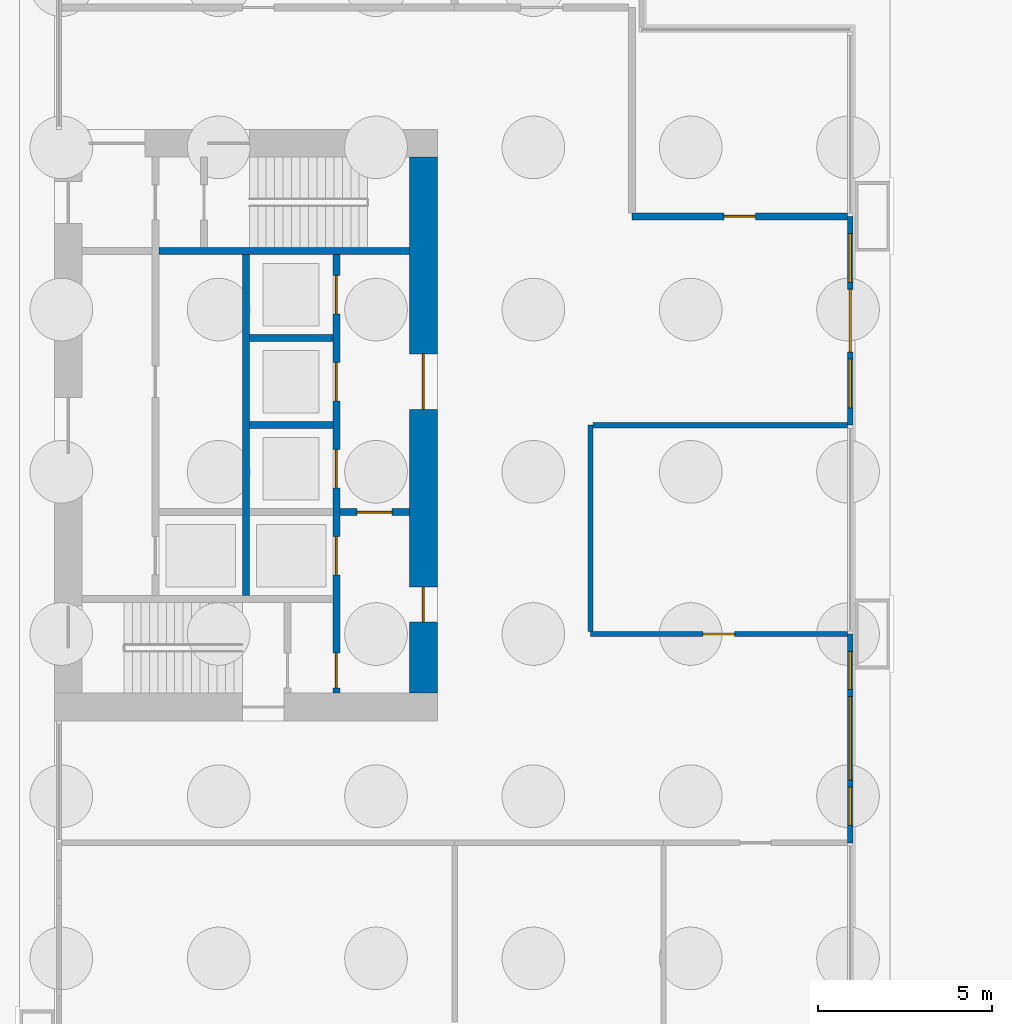
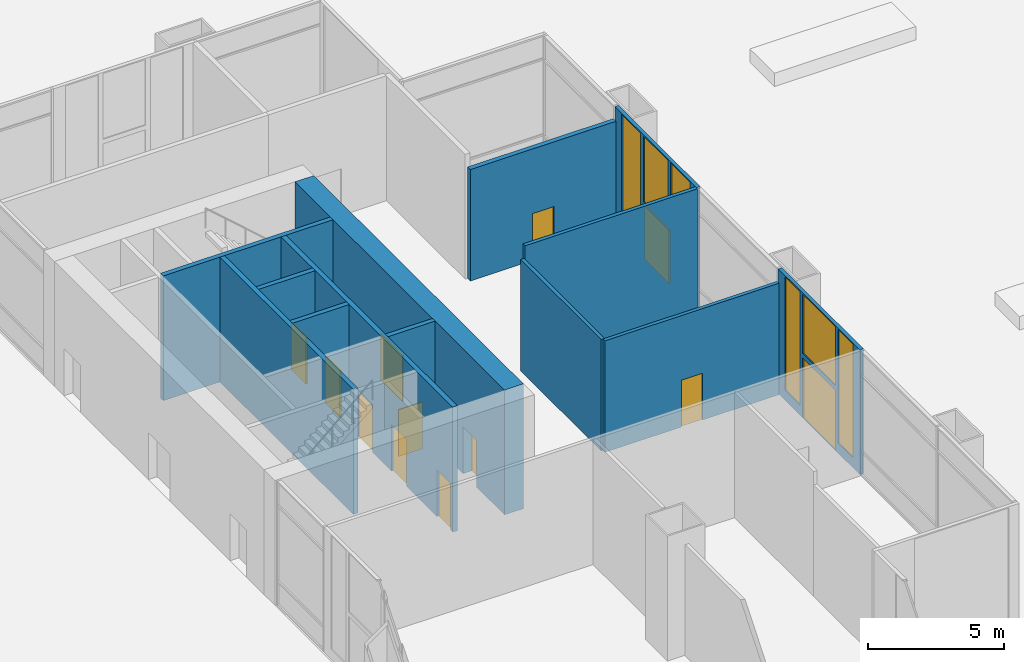
# One storey, part 23 of 29: 13 walls, 12 doors, 6 windows, 18 openings.
"""IFC4 building model written with IfcOpenShell, lengths in metres."""

from ifc_helpers import new_model, si_unit, direction, frame, frame_2d, origin, place, context, subcontext, project, spatial, rectangle, extrude, material, layer, layer_set, type_object, element, fill, save


model = new_model("IFC4")

# Units and contexts
model_context = context("Model", 3, precision=1e-05, world=origin(), true_north=direction((0.0, 1.0)))
body_context = subcontext(model_context, "Body", "Model", "MODEL_VIEW")
ifc_project = project(units=[si_unit("LENGTHUNIT", "METRE"), si_unit("AREAUNIT", "SQUARE_METRE"), si_unit("VOLUMEUNIT", "CUBIC_METRE"), si_unit("PLANEANGLEUNIT", "RADIAN"), si_unit("MASSUNIT", "GRAM", prefix="KILO")], contexts=[model_context])

# Site, building, storey
site_placement = place(None, origin())
site = spatial("IfcSite", under=ifc_project, at=site_placement, CompositionType="ELEMENT")
building_placement = place(site_placement, origin())
building = spatial("IfcBuilding", under=site, at=building_placement, Name="Kitamizu Gate Tower and Museum", CompositionType="ELEMENT")
storey_placement = place(building_placement, origin())
storey = spatial("IfcBuildingStorey", under=building, at=storey_placement, Name="L00", CompositionType="ELEMENT", Elevation=0.0)

# Wall, openings, doors
ifc_material_1 = material(Name="Concrete Fc60", Category="concrete")
ifc_layer_1 = layer(ifc_material_1, 0.800048828125)
ifc_layer_set_1 = layer_set([ifc_layer_1], Name="Concrete Fc60")
wall_type_1 = type_object("IfcWallType", Name="Core wall 800", PredefinedType="SHEAR", material=ifc_layer_set_1)
wall_1_placement = place(storey_placement, frame((59.10009765625, 22.300048828125, 0.0), z_axis=(0.0, 0.0, 1.0), x_axis=(0.0, 1.0, 0.0)))
wall_1 = element("IfcWall", 1, at=wall_1_placement, inside=storey, type_object=wall_type_1, Name="Core wall EOUT", PredefinedType="SHEAR", context=body_context, shape_type="SweptSolid", body=[
    extrude(rectangle(XDim=15.39990234375, YDim=0.800048828125, at=frame_2d((7.699951171875, 0.0))), origin(), (0.0, 0.0, 1.0), 5.60009765625),
])
opening_1_placement = place(wall_1_placement, frame((8.14990234375, 0.0, 0.0)))
opening_1 = element("IfcOpeningElement", 2, at=opening_1_placement, cuts=wall_1, Name="Opening L00-032", PredefinedType="OPENING", context=body_context, shape_type="SweptSolid", body=[
    extrude(rectangle(XDim=1.60009765625, YDim=2.10009765625, at=frame_2d((0.800048828125, 1.050048828125))), frame((0.0, 0.41015625, 0.0), z_axis=(0.0, -1.0, 0.0), x_axis=(1.0, 0.0, 0.0)), (0.0, 0.0, 1.0), 0.820068359375),
])
opening_2_placement = place(wall_1_placement, frame((2.050048828125, 0.0, 0.0)))
opening_2 = element("IfcOpeningElement", 3, at=opening_2_placement, cuts=wall_1, Name="Opening L00-033", PredefinedType="OPENING", context=body_context, shape_type="SweptSolid", body=[
    extrude(rectangle(XDim=1.0, YDim=2.10009765625, at=frame_2d((0.5, 1.050048828125))), frame((0.0, 0.41015625, 0.0), z_axis=(0.0, -1.0, 0.0), x_axis=(1.0, 0.0, 0.0)), (0.0, 0.0, 1.0), 0.820068359375),
])
ifc_material_2 = material(Name="Timber door set", Category="wood")
door_type_1 = type_object("IfcDoorType", Name="Entrance door 1600", OperationType="DOUBLE_DOOR_SINGLE_SWING", PredefinedType="DOOR", material=ifc_material_2)
door_1_placement = place(opening_1_placement, origin())
door_1 = element("IfcDoor", 4, at=door_1_placement, inside=storey, type_object=door_type_1, Name="Lobby door L00-032", OperationType="DOUBLE_DOOR_SINGLE_SWING", OverallHeight=2.10009765625, OverallWidth=1.60009765625, PredefinedType="DOOR", context=body_context, shape_type="SweptSolid", body=[
    extrude(rectangle(XDim=1.60009765625, YDim=2.10009765625, at=frame_2d((0.800048828125, 1.050048828125))), frame((0.0, 0.02490234375, 0.0), z_axis=(0.0, -1.0, 0.0), x_axis=(1.0, 0.0, 0.0)), (0.0, 0.0, 1.0), 0.050048828125),
])
fill(opening_1, door_1)
ifc_material_3 = material(Name="Hollow metal door set")
door_type_2 = type_object("IfcDoorType", Name="Fire door 1000", OperationType="NOTDEFINED", PredefinedType="DOOR", material=ifc_material_3)
door_2_placement = place(opening_2_placement, origin())
door_2 = element("IfcDoor", 5, at=door_2_placement, inside=storey, type_object=door_type_2, Name="Fire-fighting lobby door L00-033", OperationType="SINGLE_SWING_RIGHT", OverallHeight=2.10009765625, OverallWidth=1.0, PredefinedType="DOOR", context=body_context, shape_type="SweptSolid", body=[
    extrude(rectangle(XDim=1.0, YDim=2.10009765625, at=frame_2d((0.5, 1.050048828125))), frame((0.0, 0.02490234375, 0.0), z_axis=(0.0, -1.0, 0.0), x_axis=(1.0, 0.0, 0.0)), (0.0, 0.0, 1.0), 0.050048828125),
])
fill(opening_2, door_2)

# Wall, opening, door
ifc_material_4 = material(Name="Gypsum board on galvanised stud")
ifc_layer_2 = layer(ifc_material_4, 0.14990234375)
ifc_layer_set_2 = layer_set([ifc_layer_2], Name="Gypsum board on galvanised stud")
wall_type_2 = type_object("IfcWallType", Name="Partition 150", PredefinedType="PARTITIONING", material=ifc_layer_set_2)
wall_2_placement = place(storey_placement, frame((71.280029296875, 24.0, 0.0), z_axis=(0.0, 0.0, 1.0), x_axis=(-1.0, 0.0, 0.0)))
wall_2 = element("IfcWall", 6, at=wall_2_placement, inside=storey, type_object=wall_type_2, Name="Partition L00-015", PredefinedType="PARTITIONING", context=body_context, shape_type="SweptSolid", body=[
    extrude(rectangle(XDim=7.380126953125, YDim=0.14990234375, at=frame_2d((3.68994140625, 0.0))), origin(), (0.0, 0.0, 1.0), 5.0),
])
opening_3_placement = place(wall_2_placement, frame((3.239990234375, 0.0, 0.0)))
opening_3 = element("IfcOpeningElement", 7, at=opening_3_placement, cuts=wall_2, Name="Opening L00-003", PredefinedType="OPENING", context=body_context, shape_type="SweptSolid", body=[
    extrude(rectangle(XDim=0.89990234375, YDim=2.10009765625, at=frame_2d((0.449951171875, 1.050048828125))), frame((0.0, 0.0849609375, 0.0), z_axis=(0.0, -1.0, 0.0), x_axis=(1.0, 0.0, 0.0)), (0.0, 0.0, 1.0), 0.169921875),
])
ifc_material_5 = material(Name="Timber door set", Category="wood")
door_type_3 = type_object("IfcDoorType", Name="Room door 900", OperationType="NOTDEFINED", PredefinedType="DOOR", material=ifc_material_5)
door_3_placement = place(opening_3_placement, frame((0.89990234375, 0.0, 0.0), x_axis=(-1.0, 0.0, 0.0)))
door_3 = element("IfcDoor", 8, at=door_3_placement, inside=storey, type_object=door_type_3, Name="Door L00-003", OperationType="SINGLE_SWING_RIGHT", OverallHeight=2.10009765625, OverallWidth=0.89990234375, PredefinedType="DOOR", context=body_context, shape_type="SweptSolid", body=[
    extrude(rectangle(XDim=0.89990234375, YDim=2.10009765625, at=frame_2d((0.449951171875, 1.050048828125))), frame((0.0, 0.02490234375, 0.0), z_axis=(0.0, -1.0, 0.0), x_axis=(1.0, 0.0, 0.0)), (0.0, 0.0, 1.0), 0.050048828125),
])
fill(opening_3, door_3)

# Walls
wall_3_placement = place(storey_placement, frame((63.89990234375, 24.074951171875, 0.0), z_axis=(0.0, 0.0, 1.0), x_axis=(0.0, 1.0, 0.0)))
element("IfcWall", 9, at=wall_3_placement, inside=storey, type_object=wall_type_2, Name="Partition L00-016", PredefinedType="PARTITIONING", context=body_context, shape_type="SweptSolid", body=[
    extrude(rectangle(XDim=5.925048828125, YDim=0.14990234375, at=frame_2d((2.96240234375, 0.0))), origin(), (0.0, 0.0, 1.0), 5.0),
])
wall_4_placement = place(storey_placement, frame((63.97509765625, 30.0, 0.0), z_axis=(0.0, 0.0, 1.0), x_axis=(1.0, 0.0, 0.0)))
element("IfcWall", 10, at=wall_4_placement, inside=storey, type_object=wall_type_2, Name="Partition L00-017", PredefinedType="PARTITIONING", context=body_context, shape_type="SweptSolid", body=[
    extrude(rectangle(XDim=7.304931640625, YDim=0.14990234375, at=frame_2d((3.65234375, 0.0))), origin(), (0.0, 0.0, 1.0), 5.60009765625),
])

# Wall, opening, door
ifc_material_6 = material(Name="Gypsum board on galvanised stud")
ifc_layer_3 = layer(ifc_material_6, 0.199951171875)
ifc_layer_set_3 = layer_set([ifc_layer_3], Name="Gypsum board on galvanised stud")
wall_type_3 = type_object("IfcWallType", Name="Partition 200", PredefinedType="PARTITIONING", material=ifc_layer_set_3)
wall_5_placement = place(storey_placement, frame((71.280029296875, 36.0, 0.0), z_axis=(0.0, 0.0, 1.0), x_axis=(-1.0, 0.0, 0.0)))
wall_5 = element("IfcWall", 11, at=wall_5_placement, inside=storey, type_object=wall_type_3, Name="Partition L00-018", PredefinedType="PARTITIONING", context=body_context, shape_type="SweptSolid", body=[
    extrude(rectangle(XDim=6.179931640625, YDim=0.199951171875, at=frame_2d((3.08984375, 0.0))), origin(), (0.0, 0.0, 1.0), 5.0),
])
opening_4_placement = place(wall_5_placement, frame((2.639892578125, 0.0, 0.0)))
opening_4 = element("IfcOpeningElement", 12, at=opening_4_placement, cuts=wall_5, Name="Opening L00-004", PredefinedType="OPENING", context=body_context, shape_type="SweptSolid", body=[
    extrude(rectangle(XDim=0.89990234375, YDim=2.10009765625, at=frame_2d((0.449951171875, 1.050048828125))), frame((0.0, 0.10986328125, 0.0), z_axis=(0.0, -1.0, 0.0), x_axis=(1.0, 0.0, 0.0)), (0.0, 0.0, 1.0), 0.219970703125),
])
ifc_material_7 = material(Name="Timber door set", Category="wood")
door_type_4 = type_object("IfcDoorType", Name="Store door 900", OperationType="NOTDEFINED", PredefinedType="DOOR", material=ifc_material_7)
door_4_placement = place(opening_4_placement, frame((0.89990234375, 0.0, 0.0), x_axis=(-1.0, 0.0, 0.0)))
door_4 = element("IfcDoor", 13, at=door_4_placement, inside=storey, type_object=door_type_4, Name="Store door L00-004", OperationType="SINGLE_SWING_LEFT", OverallHeight=2.10009765625, OverallWidth=0.89990234375, PredefinedType="DOOR", context=body_context, shape_type="SweptSolid", body=[
    extrude(rectangle(XDim=0.89990234375, YDim=2.10009765625, at=frame_2d((0.449951171875, 1.050048828125))), frame((0.0, 0.02490234375, 0.0), z_axis=(0.0, -1.0, 0.0), x_axis=(1.0, 0.0, 0.0)), (0.0, 0.0, 1.0), 0.050048828125),
])
fill(opening_4, door_4)

# Wall, openings, doors
ifc_material_8 = material(Name="Concrete Fc42", Category="concrete")
ifc_layer_4 = layer(ifc_material_8, 0.199951171875)
ifc_layer_set_4 = layer_set([ifc_layer_4], Name="Concrete Fc42")
wall_type_4 = type_object("IfcWallType", Name="Shaft wall 200", PredefinedType="SOLIDWALL", material=ifc_layer_set_4)
wall_6_placement = place(storey_placement, frame((56.60009765625, 22.300048828125, 0.0), z_axis=(0.0, 0.0, 1.0), x_axis=(0.0, 1.0, 0.0)))
wall_6 = element("IfcWall", 14, at=wall_6_placement, inside=storey, type_object=wall_type_4, Name="Shaft wall EWEST", PredefinedType="SOLIDWALL", context=body_context, shape_type="SweptSolid", body=[
    extrude(rectangle(XDim=12.599853515625, YDim=0.199951171875, at=frame_2d((6.2998046875, 0.0))), origin(), (0.0, 0.0, 1.0), 5.60009765625),
])
opening_5_placement = place(wall_6_placement, frame((3.39990234375, 0.0, 0.0)))
opening_5 = element("IfcOpeningElement", 15, at=opening_5_placement, cuts=wall_6, Name="Opening LD", PredefinedType="OPENING", context=body_context, shape_type="SweptSolid", body=[
    extrude(rectangle(XDim=1.10009765625, YDim=2.10009765625, at=frame_2d((0.550048828125, 1.050048828125))), frame((0.0, 0.10986328125, 0.0), z_axis=(0.0, -1.0, 0.0), x_axis=(1.0, 0.0, 0.0)), (0.0, 0.0, 1.0), 0.219970703125),
])
opening_6_placement = place(wall_6_placement, frame((5.89990234375, 0.0, 0.0)))
opening_6 = element("IfcOpeningElement", 16, at=opening_6_placement, cuts=wall_6, Name="Opening LD", PredefinedType="OPENING", context=body_context, shape_type="SweptSolid", body=[
    extrude(rectangle(XDim=1.10009765625, YDim=2.10009765625, at=frame_2d((0.550048828125, 1.050048828125))), frame((0.0, 0.10986328125, 0.0), z_axis=(0.0, -1.0, 0.0), x_axis=(1.0, 0.0, 0.0)), (0.0, 0.0, 1.0), 0.219970703125),
])
opening_7_placement = place(wall_6_placement, frame((8.39990234375, 0.0, 0.0)))
opening_7 = element("IfcOpeningElement", 17, at=opening_7_placement, cuts=wall_6, Name="Opening LD", PredefinedType="OPENING", context=body_context, shape_type="SweptSolid", body=[
    extrude(rectangle(XDim=1.10009765625, YDim=2.10009765625, at=frame_2d((0.550048828125, 1.050048828125))), frame((0.0, 0.10986328125, 0.0), z_axis=(0.0, -1.0, 0.0), x_axis=(1.0, 0.0, 0.0)), (0.0, 0.0, 1.0), 0.219970703125),
])
opening_8_placement = place(wall_6_placement, frame((10.89990234375, 0.0, 0.0)))
opening_8 = element("IfcOpeningElement", 18, at=opening_8_placement, cuts=wall_6, Name="Opening LD", PredefinedType="OPENING", context=body_context, shape_type="SweptSolid", body=[
    extrude(rectangle(XDim=1.10009765625, YDim=2.10009765625, at=frame_2d((0.550048828125, 1.050048828125))), frame((0.0, 0.10986328125, 0.0), z_axis=(0.0, -1.0, 0.0), x_axis=(1.0, 0.0, 0.0)), (0.0, 0.0, 1.0), 0.219970703125),
])
opening_9_placement = place(wall_6_placement, frame((0.14990234375, 0.0, 0.0)))
opening_9 = element("IfcOpeningElement", 19, at=opening_9_placement, cuts=wall_6, Name="Opening L00-028", PredefinedType="OPENING", context=body_context, shape_type="SweptSolid", body=[
    extrude(rectangle(XDim=1.0, YDim=2.10009765625, at=frame_2d((0.5, 1.050048828125))), frame((0.0, 0.10986328125, 0.0), z_axis=(0.0, -1.0, 0.0), x_axis=(1.0, 0.0, 0.0)), (0.0, 0.0, 1.0), 0.219970703125),
])
door_5_placement = place(opening_9_placement, origin())
door_5 = element("IfcDoor", 20, at=door_5_placement, inside=storey, type_object=door_type_2, Name="Stair lobby door L00-028", OperationType="SINGLE_SWING_RIGHT", OverallHeight=2.10009765625, OverallWidth=1.0, PredefinedType="DOOR", context=body_context, shape_type="SweptSolid", body=[
    extrude(rectangle(XDim=1.0, YDim=2.10009765625, at=frame_2d((0.5, 1.050048828125))), frame((0.0, 0.02490234375, 0.0), z_axis=(0.0, -1.0, 0.0), x_axis=(1.0, 0.0, 0.0)), (0.0, 0.0, 1.0), 0.050048828125),
])
fill(opening_9, door_5)
ifc_material_9 = material(Name="Hollow metal door set")
door_type_5 = type_object("IfcDoorType", Name="Landing door 1100", OperationType="SLIDING_TO_LEFT", PredefinedType="DOOR", material=ifc_material_9)
door_6_placement = place(opening_5_placement, origin())
door_6 = element("IfcDoor", 21, at=door_6_placement, inside=storey, type_object=door_type_5, Name="Landing door EFF1", OperationType="SLIDING_TO_LEFT", OverallHeight=2.10009765625, OverallWidth=1.10009765625, PredefinedType="DOOR", context=body_context, shape_type="SweptSolid", body=[
    extrude(rectangle(XDim=1.10009765625, YDim=2.10009765625, at=frame_2d((0.550048828125, 1.050048828125))), frame((0.0, 0.02490234375, 0.0), z_axis=(0.0, -1.0, 0.0), x_axis=(1.0, 0.0, 0.0)), (0.0, 0.0, 1.0), 0.050048828125),
])
fill(opening_5, door_6)
door_7_placement = place(opening_6_placement, origin())
door_7 = element("IfcDoor", 22, at=door_7_placement, inside=storey, type_object=door_type_5, Name="Landing door EL1", OperationType="SLIDING_TO_LEFT", OverallHeight=2.10009765625, OverallWidth=1.10009765625, PredefinedType="DOOR", context=body_context, shape_type="SweptSolid", body=[
    extrude(rectangle(XDim=1.10009765625, YDim=2.10009765625, at=frame_2d((0.550048828125, 1.050048828125))), frame((0.0, 0.02490234375, 0.0), z_axis=(0.0, -1.0, 0.0), x_axis=(1.0, 0.0, 0.0)), (0.0, 0.0, 1.0), 0.050048828125),
])
fill(opening_6, door_7)
door_8_placement = place(opening_7_placement, origin())
door_8 = element("IfcDoor", 23, at=door_8_placement, inside=storey, type_object=door_type_5, Name="Landing door EL2", OperationType="SLIDING_TO_LEFT", OverallHeight=2.10009765625, OverallWidth=1.10009765625, PredefinedType="DOOR", context=body_context, shape_type="SweptSolid", body=[
    extrude(rectangle(XDim=1.10009765625, YDim=2.10009765625, at=frame_2d((0.550048828125, 1.050048828125))), frame((0.0, 0.02490234375, 0.0), z_axis=(0.0, -1.0, 0.0), x_axis=(1.0, 0.0, 0.0)), (0.0, 0.0, 1.0), 0.050048828125),
])
fill(opening_7, door_8)
door_9_placement = place(opening_8_placement, origin())
door_9 = element("IfcDoor", 24, at=door_9_placement, inside=storey, type_object=door_type_5, Name="Landing door EL3", OperationType="SLIDING_TO_LEFT", OverallHeight=2.10009765625, OverallWidth=1.10009765625, PredefinedType="DOOR", context=body_context, shape_type="SweptSolid", body=[
    extrude(rectangle(XDim=1.10009765625, YDim=2.10009765625, at=frame_2d((0.550048828125, 1.050048828125))), frame((0.0, 0.02490234375, 0.0), z_axis=(0.0, -1.0, 0.0), x_axis=(1.0, 0.0, 0.0)), (0.0, 0.0, 1.0), 0.050048828125),
])
fill(opening_8, door_9)

# Walls
wall_7_placement = place(storey_placement, frame((54.0, 25.10009765625, 0.0), z_axis=(0.0, 0.0, 1.0), x_axis=(0.0, 1.0, 0.0)))
element("IfcWall", 25, at=wall_7_placement, inside=storey, type_object=wall_type_4, Name="Shaft wall EMID", PredefinedType="SOLIDWALL", context=body_context, shape_type="SweptSolid", body=[
    extrude(rectangle(XDim=9.7998046875, YDim=0.199951171875, at=frame_2d((4.89990234375, 0.0))), origin(), (0.0, 0.0, 1.0), 5.60009765625),
])
wall_8_placement = place(storey_placement, frame((58.699951171875, 35.0, 0.0), z_axis=(0.0, 0.0, 1.0), x_axis=(-1.0, 0.0, 0.0)))
element("IfcWall", 26, at=wall_8_placement, inside=storey, type_object=wall_type_4, Name="Shaft wall ENB", PredefinedType="SOLIDWALL", context=body_context, shape_type="SweptSolid", body=[
    extrude(rectangle(XDim=7.199951171875, YDim=0.199951171875, at=frame_2d((3.60009765625, 0.0))), origin(), (0.0, 0.0, 1.0), 5.60009765625),
])

# Wall, opening, door
wall_9_placement = place(storey_placement, frame((58.699951171875, 27.5, 0.0), z_axis=(0.0, 0.0, 1.0), x_axis=(-1.0, 0.0, 0.0)))
wall_9 = element("IfcWall", 27, at=wall_9_placement, inside=storey, type_object=wall_type_4, Name="Shaft wall EFFN", PredefinedType="SOLIDWALL", context=body_context, shape_type="SweptSolid", body=[
    extrude(rectangle(XDim=2.0, YDim=0.199951171875, at=frame_2d((1.0, 0.0))), origin(), (0.0, 0.0, 1.0), 5.60009765625),
])
opening_10_placement = place(wall_9_placement, frame((0.5, 0.0, 0.0)))
opening_10 = element("IfcOpeningElement", 28, at=opening_10_placement, cuts=wall_9, Name="Opening L00-031", PredefinedType="OPENING", context=body_context, shape_type="SweptSolid", body=[
    extrude(rectangle(XDim=1.0, YDim=2.10009765625, at=frame_2d((0.5, 1.050048828125))), frame((0.0, 0.10986328125, 0.0), z_axis=(0.0, -1.0, 0.0), x_axis=(1.0, 0.0, 0.0)), (0.0, 0.0, 1.0), 0.219970703125),
])
door_10_placement = place(opening_10_placement, origin())
door_10 = element("IfcDoor", 29, at=door_10_placement, inside=storey, type_object=door_type_2, Name="Fire-fighting lobby door L00-031", OperationType="SINGLE_SWING_LEFT", OverallHeight=2.10009765625, OverallWidth=1.0, PredefinedType="DOOR", context=body_context, shape_type="SweptSolid", body=[
    extrude(rectangle(XDim=1.0, YDim=2.10009765625, at=frame_2d((0.5, 1.050048828125))), frame((0.0, 0.02490234375, 0.0), z_axis=(0.0, -1.0, 0.0), x_axis=(1.0, 0.0, 0.0)), (0.0, 0.0, 1.0), 0.050048828125),
])
fill(opening_10, door_10)

# Walls
for number, where, z_axis, x_axis, name in (
    (30, (56.5, 30.0, 0.0), (0.0, 0.0, 1.0), (-1.0, 0.0, 0.0), "Shaft wall EDVW1"),
    (31, (56.5, 32.5, 0.0), (0.0, 0.0, 1.0), (-1.0, 0.0, 0.0), "Shaft wall EDVW2"),
):
    element("IfcWall", number, at=place(storey_placement, frame(where, z_axis=z_axis, x_axis=x_axis)), inside=storey, type_object=wall_type_4, Name=name, PredefinedType="SOLIDWALL", context=body_context, shape_type="SweptSolid", body=[
        extrude(rectangle(XDim=2.39990234375, YDim=0.199951171875, at=frame_2d((1.199951171875, 0.0))), origin(), (0.0, 0.0, 1.0), 5.60009765625),
    ])

# Wall, openings, door, windows
ifc_material_10 = material(Name="Bronze anodised aluminium frame with insulated spandrel and tinted glass", Category="aluminium")
ifc_layer_5 = layer(ifc_material_10, 0.14990234375)
ifc_layer_set_5 = layer_set([ifc_layer_5], Name="Bronze anodised aluminium frame with insulated spandrel and tinted glass")
wall_type_5 = type_object("IfcWallType", Name="WINDOW WALL 150 BRONZE FRAME EI 60", PredefinedType="ELEMENTEDWALL", material=ifc_layer_set_5)
wall_10_placement = place(storey_placement, frame((71.364990234375, 30.0, 0.0), z_axis=(0.0, 0.0, 1.0), x_axis=(0.0, 1.0, 0.0)))
wall_10 = element("IfcWall", 32, at=wall_10_placement, inside=storey, type_object=wall_type_5, Name="Window wall east L00", PredefinedType="ELEMENTEDWALL", context=body_context, shape_type="SweptSolid", body=[
    extrude(rectangle(XDim=6.0, YDim=0.14990234375, at=frame_2d((3.0, 0.0))), origin(), (0.0, 0.0, 1.0), 5.60009765625),
])
opening_11_placement = place(wall_10_placement, frame((0.5, 0.0, 0.449951171875)))
opening_11 = element("IfcOpeningElement", 33, at=opening_11_placement, cuts=wall_10, Name="Opening W10", PredefinedType="OPENING", context=body_context, shape_type="SweptSolid", body=[
    extrude(rectangle(XDim=1.39990234375, YDim=5.10009765625, at=frame_2d((0.699951171875, 2.550048828125))), frame((0.0, 0.0849609375, 0.0), z_axis=(0.0, -1.0, 0.0), x_axis=(1.0, 0.0, 0.0)), (0.0, 0.0, 1.0), 0.169921875),
])
opening_12_placement = place(wall_10_placement, frame((4.10009765625, 0.0, 0.449951171875)))
opening_12 = element("IfcOpeningElement", 34, at=opening_12_placement, cuts=wall_10, Name="Opening W10", PredefinedType="OPENING", context=body_context, shape_type="SweptSolid", body=[
    extrude(rectangle(XDim=1.39990234375, YDim=5.10009765625, at=frame_2d((0.699951171875, 2.550048828125))), frame((0.0, 0.0849609375, 0.0), z_axis=(0.0, -1.0, 0.0), x_axis=(1.0, 0.0, 0.0)), (0.0, 0.0, 1.0), 0.169921875),
])
opening_13_placement = place(wall_10_placement, frame((2.10009765625, 0.0, 0.0)))
opening_13 = element("IfcOpeningElement", 35, at=opening_13_placement, cuts=wall_10, Name="Opening L00-906", PredefinedType="OPENING", context=body_context, shape_type="SweptSolid", body=[
    extrude(rectangle(XDim=1.800048828125, YDim=2.39990234375, at=frame_2d((0.89990234375, 1.199951171875))), frame((0.0, 0.0849609375, 0.0), z_axis=(0.0, -1.0, 0.0), x_axis=(1.0, 0.0, 0.0)), (0.0, 0.0, 1.0), 0.169921875),
])
opening_14_placement = place(wall_10_placement, frame((2.10009765625, 0.0, 2.60009765625)))
opening_14 = element("IfcOpeningElement", 36, at=opening_14_placement, cuts=wall_10, Name="Opening W14", PredefinedType="OPENING", context=body_context, shape_type="SweptSolid", body=[
    extrude(rectangle(XDim=1.800048828125, YDim=2.949951171875, at=frame_2d((0.89990234375, 1.47509765625))), frame((0.0, 0.0849609375, 0.0), z_axis=(0.0, -1.0, 0.0), x_axis=(1.0, 0.0, 0.0)), (0.0, 0.0, 1.0), 0.169921875),
])
ifc_material_11 = material(Name="Bronze anodised aluminium frame, tinted toughened glass", Category="aluminium")
door_type_6 = type_object("IfcDoorType", Name="SERVICE DOOR 1800 x 2400 FIRE RATED", OperationType="DOUBLE_DOOR_SINGLE_SWING", PredefinedType="DOOR", material=ifc_material_11)
door_11_placement = place(opening_13_placement, frame((1.800048828125, 0.0, 0.0), x_axis=(-1.0, 0.0, 0.0)))
door_11 = element("IfcDoor", 37, at=door_11_placement, inside=storey, type_object=door_type_6, Name="Service door L00-906", OperationType="DOUBLE_DOOR_SINGLE_SWING", OverallHeight=2.39990234375, OverallWidth=1.800048828125, PredefinedType="DOOR", context=body_context, shape_type="SweptSolid", body=[
    extrude(rectangle(XDim=1.800048828125, YDim=2.39990234375, at=frame_2d((0.89990234375, 1.199951171875))), frame((0.0, 0.02490234375, 0.0), z_axis=(0.0, -1.0, 0.0), x_axis=(1.0, 0.0, 0.0)), (0.0, 0.0, 1.0), 0.050048828125),
])
fill(opening_13, door_11)
ifc_material_12 = material(Name="Bronze anodised aluminium frame, tinted triple glazing", Category="aluminium")
window_type_1 = type_object("IfcWindowType", Name="WINDOW 1400 x 5100 SILL 450", PartitioningType="SINGLE_PANEL", PredefinedType="WINDOW", material=ifc_material_12)
window_1_placement = place(opening_11_placement, origin())
window_1 = element("IfcWindow", 38, at=window_1_placement, inside=storey, type_object=window_type_1, Name="Window W10 L00", OverallHeight=5.10009765625, OverallWidth=1.39990234375, PartitioningType="SINGLE_PANEL", PredefinedType="WINDOW", context=body_context, shape_type="SweptSolid", body=[
    extrude(rectangle(XDim=1.39990234375, YDim=5.10009765625, at=frame_2d((0.699951171875, 2.550048828125))), frame((0.0, 0.030029296875, 0.0), z_axis=(0.0, -1.0, 0.0), x_axis=(1.0, 0.0, 0.0)), (0.0, 0.0, 1.0), 0.06005859375),
])
fill(opening_11, window_1)
window_2_placement = place(opening_12_placement, origin())
window_2 = element("IfcWindow", 39, at=window_2_placement, inside=storey, type_object=window_type_1, Name="Window W10 L00", OverallHeight=5.10009765625, OverallWidth=1.39990234375, PartitioningType="SINGLE_PANEL", PredefinedType="WINDOW", context=body_context, shape_type="SweptSolid", body=[
    extrude(rectangle(XDim=1.39990234375, YDim=5.10009765625, at=frame_2d((0.699951171875, 2.550048828125))), frame((0.0, 0.030029296875, 0.0), z_axis=(0.0, -1.0, 0.0), x_axis=(1.0, 0.0, 0.0)), (0.0, 0.0, 1.0), 0.06005859375),
])
fill(opening_12, window_2)
ifc_material_13 = material(Name="Bronze anodised aluminium frame, tinted triple glazing", Category="aluminium")
window_type_2 = type_object("IfcWindowType", Name="WINDOW 1800 x 2950 SILL 2600", PartitioningType="SINGLE_PANEL", PredefinedType="WINDOW", material=ifc_material_13)
window_3_placement = place(opening_14_placement, origin())
window_3 = element("IfcWindow", 40, at=window_3_placement, inside=storey, type_object=window_type_2, Name="Window W14 L00", OverallHeight=2.949951171875, OverallWidth=1.800048828125, PartitioningType="SINGLE_PANEL", PredefinedType="WINDOW", context=body_context, shape_type="SweptSolid", body=[
    extrude(rectangle(XDim=1.800048828125, YDim=2.949951171875, at=frame_2d((0.89990234375, 1.47509765625))), frame((0.0, 0.030029296875, 0.0), z_axis=(0.0, -1.0, 0.0), x_axis=(1.0, 0.0, 0.0)), (0.0, 0.0, 1.0), 0.06005859375),
])
fill(opening_14, window_3)

wall_11_placement = place(storey_placement, frame((71.364990234375, 18.0, 0.0), z_axis=(0.0, 0.0, 1.0), x_axis=(0.0, 1.0, 0.0)))
wall_11 = element("IfcWall", 41, at=wall_11_placement, inside=storey, type_object=wall_type_5, Name="Window wall east L00", PredefinedType="ELEMENTEDWALL", context=body_context, shape_type="SweptSolid", body=[
    extrude(rectangle(XDim=6.0, YDim=0.14990234375, at=frame_2d((3.0, 0.0))), origin(), (0.0, 0.0, 1.0), 5.60009765625),
])
opening_15_placement = place(wall_11_placement, frame((0.5, 0.0, 0.449951171875)))
opening_15 = element("IfcOpeningElement", 42, at=opening_15_placement, cuts=wall_11, Name="Opening W9", PredefinedType="OPENING", context=body_context, shape_type="SweptSolid", body=[
    extrude(rectangle(XDim=1.10009765625, YDim=5.10009765625, at=frame_2d((0.550048828125, 2.550048828125))), frame((0.0, 0.0849609375, 0.0), z_axis=(0.0, -1.0, 0.0), x_axis=(1.0, 0.0, 0.0)), (0.0, 0.0, 1.0), 0.169921875),
])
opening_16_placement = place(wall_11_placement, frame((4.39990234375, 0.0, 0.449951171875)))
opening_16 = element("IfcOpeningElement", 43, at=opening_16_placement, cuts=wall_11, Name="Opening W9", PredefinedType="OPENING", context=body_context, shape_type="SweptSolid", body=[
    extrude(rectangle(XDim=1.10009765625, YDim=5.10009765625, at=frame_2d((0.550048828125, 2.550048828125))), frame((0.0, 0.0849609375, 0.0), z_axis=(0.0, -1.0, 0.0), x_axis=(1.0, 0.0, 0.0)), (0.0, 0.0, 1.0), 0.169921875),
])
opening_17_placement = place(wall_11_placement, frame((1.800048828125, 0.0, 0.0)))
opening_17 = element("IfcOpeningElement", 44, at=opening_17_placement, cuts=wall_11, Name="Opening L00-907", PredefinedType="OPENING", context=body_context, shape_type="SweptSolid", body=[
    extrude(rectangle(XDim=2.39990234375, YDim=2.699951171875, at=frame_2d((1.199951171875, 1.35009765625))), frame((0.0, 0.0849609375, 0.0), z_axis=(0.0, -1.0, 0.0), x_axis=(1.0, 0.0, 0.0)), (0.0, 0.0, 1.0), 0.169921875),
])
opening_18_placement = place(wall_11_placement, frame((1.800048828125, 0.0, 2.89990234375)))
opening_18 = element("IfcOpeningElement", 45, at=opening_18_placement, cuts=wall_11, Name="Opening W13", PredefinedType="OPENING", context=body_context, shape_type="SweptSolid", body=[
    extrude(rectangle(XDim=2.39990234375, YDim=2.64990234375, at=frame_2d((1.199951171875, 1.324951171875))), frame((0.0, 0.0849609375, 0.0), z_axis=(0.0, -1.0, 0.0), x_axis=(1.0, 0.0, 0.0)), (0.0, 0.0, 1.0), 0.169921875),
])
ifc_material_14 = material(Name="Bronze anodised aluminium frame, tinted toughened glass", Category="aluminium")
door_type_7 = type_object("IfcDoorType", Name="ENTRANCE DOOR 2400 x 2700 FIRE RATED", OperationType="DOUBLE_DOOR_SINGLE_SWING", PredefinedType="DOOR", material=ifc_material_14)
door_12_placement = place(opening_17_placement, frame((2.39990234375, 0.0, 0.0), x_axis=(-1.0, 0.0, 0.0)))
door_12 = element("IfcDoor", 46, at=door_12_placement, inside=storey, type_object=door_type_7, Name="Entrance door L00-907", OperationType="DOUBLE_DOOR_SINGLE_SWING", OverallHeight=2.699951171875, OverallWidth=2.39990234375, PredefinedType="DOOR", context=body_context, shape_type="SweptSolid", body=[
    extrude(rectangle(XDim=2.39990234375, YDim=2.699951171875, at=frame_2d((1.199951171875, 1.35009765625))), frame((0.0, 0.02490234375, 0.0), z_axis=(0.0, -1.0, 0.0), x_axis=(1.0, 0.0, 0.0)), (0.0, 0.0, 1.0), 0.050048828125),
])
fill(opening_17, door_12)
ifc_material_15 = material(Name="Bronze anodised aluminium frame, tinted triple glazing", Category="aluminium")
window_type_3 = type_object("IfcWindowType", Name="WINDOW 1100 x 5100 SILL 450", PartitioningType="SINGLE_PANEL", PredefinedType="WINDOW", material=ifc_material_15)
window_4_placement = place(opening_15_placement, origin())
window_4 = element("IfcWindow", 47, at=window_4_placement, inside=storey, type_object=window_type_3, Name="Window W9 L00", OverallHeight=5.10009765625, OverallWidth=1.10009765625, PartitioningType="SINGLE_PANEL", PredefinedType="WINDOW", context=body_context, shape_type="SweptSolid", body=[
    extrude(rectangle(XDim=1.10009765625, YDim=5.10009765625, at=frame_2d((0.550048828125, 2.550048828125))), frame((0.0, 0.030029296875, 0.0), z_axis=(0.0, -1.0, 0.0), x_axis=(1.0, 0.0, 0.0)), (0.0, 0.0, 1.0), 0.06005859375),
])
fill(opening_15, window_4)
window_5_placement = place(opening_16_placement, origin())
window_5 = element("IfcWindow", 48, at=window_5_placement, inside=storey, type_object=window_type_3, Name="Window W9 L00", OverallHeight=5.10009765625, OverallWidth=1.10009765625, PartitioningType="SINGLE_PANEL", PredefinedType="WINDOW", context=body_context, shape_type="SweptSolid", body=[
    extrude(rectangle(XDim=1.10009765625, YDim=5.10009765625, at=frame_2d((0.550048828125, 2.550048828125))), frame((0.0, 0.030029296875, 0.0), z_axis=(0.0, -1.0, 0.0), x_axis=(1.0, 0.0, 0.0)), (0.0, 0.0, 1.0), 0.06005859375),
])
fill(opening_16, window_5)
ifc_material_16 = material(Name="Bronze anodised aluminium frame, tinted triple glazing", Category="aluminium")
window_type_4 = type_object("IfcWindowType", Name="WINDOW 2400 x 2650 SILL 2900", PartitioningType="SINGLE_PANEL", PredefinedType="WINDOW", material=ifc_material_16)
window_6_placement = place(opening_18_placement, origin())
window_6 = element("IfcWindow", 49, at=window_6_placement, inside=storey, type_object=window_type_4, Name="Window W13 L00", OverallHeight=2.64990234375, OverallWidth=2.39990234375, PartitioningType="SINGLE_PANEL", PredefinedType="WINDOW", context=body_context, shape_type="SweptSolid", body=[
    extrude(rectangle(XDim=2.39990234375, YDim=2.64990234375, at=frame_2d((1.199951171875, 1.324951171875))), frame((0.0, 0.030029296875, 0.0), z_axis=(0.0, -1.0, 0.0), x_axis=(1.0, 0.0, 0.0)), (0.0, 0.0, 1.0), 0.06005859375),
])
fill(opening_18, window_6)

save(model, "model.ifc")
